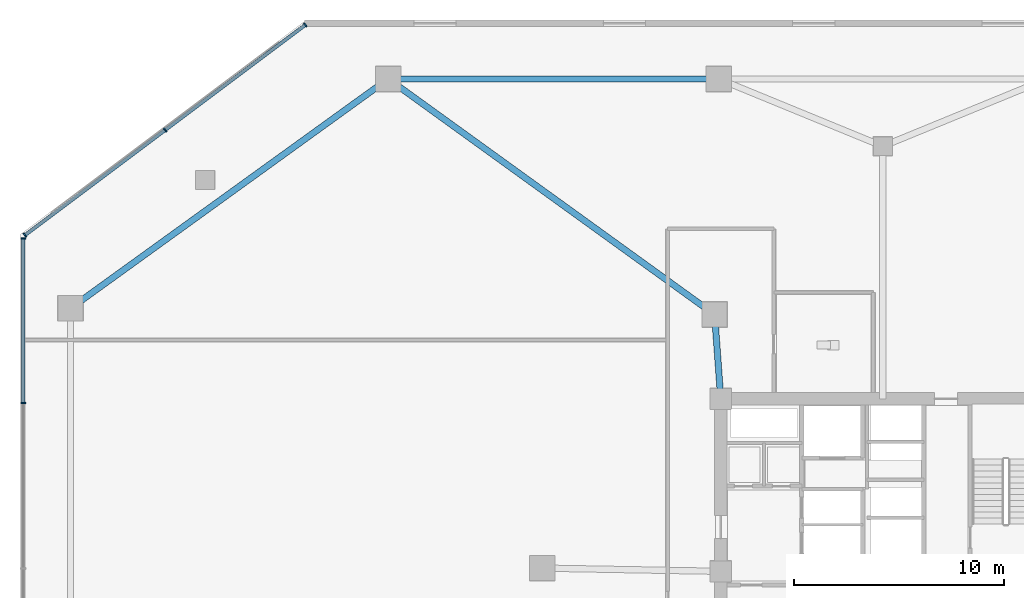
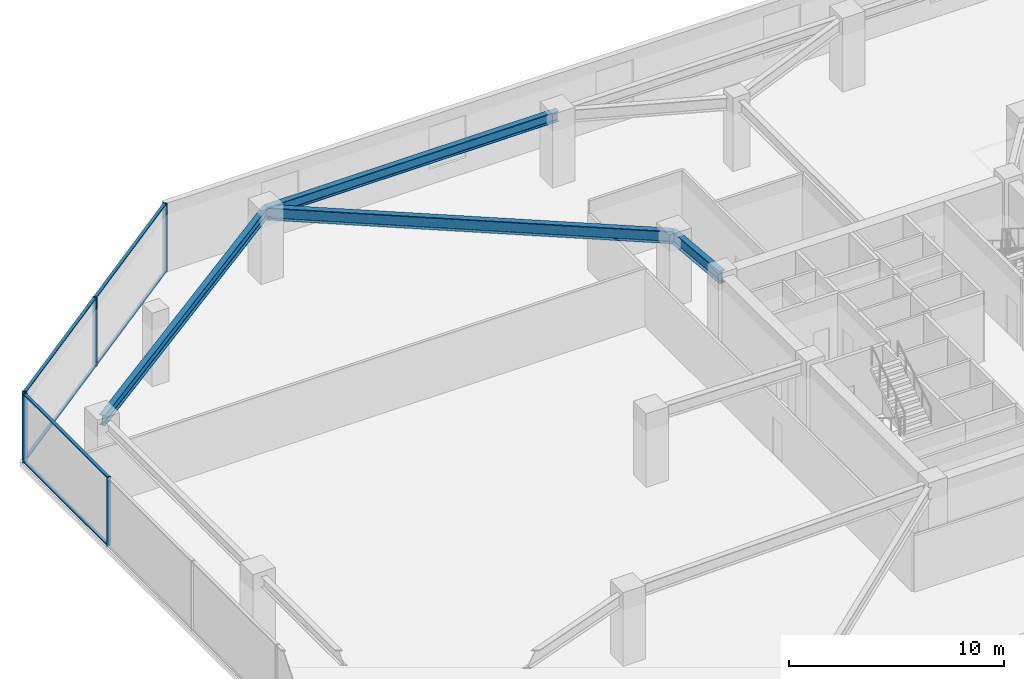
# One storey, part 6 of 21: 11 members, 4 beams, 2 elements without a shape of their own.
"""IFC4 building model written with IfcOpenShell, lengths in metres."""

from ifc_helpers import new_model, si_unit, direction, frame, origin, origin_2d, place, context, subcontext, project, spatial, rectangle, i_section, extrude, material, material_profile, profile_set, type_object, element, aggregate, save


model = new_model("IFC4")

# Units and contexts
model_context = context("Model", 3, precision=1e-05, world=origin(), true_north=direction((0.0, 1.0)))
body_context = subcontext(model_context, "Body", "Model", "MODEL_VIEW")
ifc_project = project(units=[si_unit("LENGTHUNIT", "METRE"), si_unit("AREAUNIT", "SQUARE_METRE"), si_unit("VOLUMEUNIT", "CUBIC_METRE"), si_unit("PLANEANGLEUNIT", "RADIAN"), si_unit("MASSUNIT", "GRAM", prefix="KILO")], contexts=[model_context])

# Site, building, storey
site_placement = place(None, origin())
site = spatial("IfcSite", under=ifc_project, at=site_placement, CompositionType="ELEMENT")
building_placement = place(site_placement, origin())
building = spatial("IfcBuilding", under=site, at=building_placement, Name="Savorim Split Tower", CompositionType="ELEMENT")
storey_placement = place(building_placement, frame((0.0, 0.0, 9.199951171875)))
storey = spatial("IfcBuildingStorey", under=building, at=storey_placement, Name="L02", CompositionType="ELEMENT", Elevation=9.199951171875)

# Beams
ifc_material_1 = material(Name="Steel S355", Category="steel")
ifc_material_profile_1 = material_profile(ifc_material_1, i_section(OverallWidth=0.300048828125, OverallDepth=0.699951171875, WebThickness=0.01708984375, FlangeThickness=0.031982421875, FilletRadius=0.027099609375, at=origin_2d()), Name="HEB 700")
ifc_profile_set_1 = profile_set([ifc_material_profile_1], Name="Steel S355")
beam_type_1 = type_object("IfcBeamType", Name="BM-PRI-HEB700", PredefinedType="BEAM", material=ifc_profile_set_1)
beam_1_placement = place(storey_placement, frame((-23.5, 25.39990234375, 3.570068359375), z_axis=(0.810720623397, -0.585433233426, 0.0), x_axis=(0.585433233426, 0.810720623397, 0.0)))
element("IfcBeam", 1, at=beam_1_placement, inside=storey, type_object=beam_type_1, Name="L02 Podium Primary Girder BG-15", PredefinedType="BEAM", context=body_context, shape_type="SweptSolid", body=[
    extrude(i_section(OverallWidth=0.300048828125, OverallDepth=0.699951171875, WebThickness=0.01708984375, FlangeThickness=0.031982421875, FilletRadius=0.027099609375, at=origin_2d()), origin(), (0.0, 0.0, 1.0), 19.128173828125),
])
beam_2_placement = place(storey_placement, frame((-7.992431640625, 14.20166015625, 3.570068359375), z_axis=(0.072894449016, -0.997339660949, 0.0), x_axis=(0.997339660949, 0.072894449016, 0.0)))
element("IfcBeam", 2, at=beam_2_placement, inside=storey, type_object=beam_type_1, Name="L02 Podium Primary Girder BG-29", PredefinedType="BEAM", context=body_context, shape_type="SweptSolid", body=[
    extrude(i_section(OverallWidth=0.300048828125, OverallDepth=0.699951171875, WebThickness=0.01708984375, FlangeThickness=0.031982421875, FilletRadius=0.027099609375, at=origin_2d()), origin(), (0.0, 0.0, 1.0), 4.012451171875),
])
ifc_material_profile_2 = material_profile(ifc_material_1, i_section(OverallWidth=0.300048828125, OverallDepth=0.590087890625, WebThickness=0.012939453125, FlangeThickness=0.02490234375, FilletRadius=0.027099609375, at=origin_2d()), Name="HEA 600")
ifc_profile_set_2 = profile_set([ifc_material_profile_2], Name="Steel S355")
beam_type_2 = type_object("IfcBeamType", Name="BM-SPN-HEA600", PredefinedType="SPANDREL", material=ifc_profile_set_2)
beam_3_placement = place(storey_placement, frame((-7.800048828125, 25.39990234375, 3.625), z_axis=(-1.0, 0.0, 0.0), x_axis=(0.0, -1.0, 0.0)))
element("IfcBeam", 3, at=beam_3_placement, inside=storey, type_object=beam_type_2, Name="L02 Podium Spandrel Beam 8", PredefinedType="SPANDREL", context=body_context, shape_type="SweptSolid", body=[
    extrude(i_section(OverallWidth=0.300048828125, OverallDepth=0.590087890625, WebThickness=0.012939453125, FlangeThickness=0.02490234375, FilletRadius=0.027099609375, at=origin_2d()), origin(), (0.0, 0.0, 1.0), 15.699951171875),
])
beam_4_placement = place(storey_placement, frame((-23.5, 25.39990234375, 3.625), z_axis=(-0.810825083438, -0.585288547699, 0.0), x_axis=(0.585288547699, -0.810825083438, 0.0)))
element("IfcBeam", 4, at=beam_4_placement, inside=storey, type_object=beam_type_2, Name="L02 Podium Spandrel Beam 9", PredefinedType="SPANDREL", context=body_context, shape_type="SweptSolid", body=[
    extrude(i_section(OverallWidth=0.300048828125, OverallDepth=0.590087890625, WebThickness=0.012939453125, FlangeThickness=0.02490234375, FilletRadius=0.027099609375, at=origin_2d()), origin(), (0.0, 0.0, 1.0), 18.623046875),
])

# Curtain wall, members
ifc_material_2 = material(Name="Dark Ceramic-Fritted Insulated Glass", Category="glass")
curtain_wall_type = type_object("IfcCurtainWallType", Name="CW-POD-GLZ", PredefinedType="NOTDEFINED", material=ifc_material_2)
curtain_wall_1_placement = place(storey_placement, origin())
curtain_wall_1 = element("IfcCurtainWall", 5, at=curtain_wall_1_placement, inside=storey, type_object=curtain_wall_type, Name="L02 Curtain Wall CW-L02-E09", PredefinedType="NOTDEFINED")
ifc_material_3 = material(Name="Charcoal Anodised Aluminium", Category="aluminium")
ifc_material_profile_3 = material_profile(ifc_material_3, rectangle(XDim=0.219970703125, YDim=0.070068359375, at=origin_2d()), Name="ALU-M 220x70")
ifc_profile_set_3 = profile_set([ifc_material_profile_3], Name="Charcoal Anodised Aluminium")
member_type_1 = type_object("IfcMemberType", Name="CWM-220x70", PredefinedType="MULLION", material=ifc_profile_set_3)
member_1_placement = place(storey_placement, frame((-27.444091796875, 27.967041015625, 0.0), z_axis=(0.0, 0.0, 1.0), x_axis=(0.600000000002, -0.799999999998, 0.0)))
member_1 = element("IfcMember", 6, at=member_1_placement, type_object=member_type_1, Name="CW-01 mullion 1", PredefinedType="MULLION", context=body_context, shape_type="SweptSolid", body=[
    extrude(rectangle(XDim=0.219970703125, YDim=0.070068359375, at=origin_2d()), origin(), (0.0, 0.0, 1.0), 3.920166015625),
])
member_2_placement = place(storey_placement, frame((-34.10400390625, 22.971923828125, 0.0), z_axis=(0.0, 0.0, 1.0), x_axis=(0.600000000002, -0.799999999998, 0.0)))
member_2 = element("IfcMember", 7, at=member_2_placement, type_object=member_type_1, Name="CW-01 mullion 2", PredefinedType="MULLION", context=body_context, shape_type="SweptSolid", body=[
    extrude(rectangle(XDim=0.219970703125, YDim=0.070068359375, at=origin_2d()), origin(), (0.0, 0.0, 1.0), 3.920166015625),
])
member_3_placement = place(storey_placement, frame((-40.763916015625, 17.97705078125, 0.0), z_axis=(0.0, 0.0, 1.0), x_axis=(0.600000000002, -0.799999999998, 0.0)))
member_3 = element("IfcMember", 8, at=member_3_placement, type_object=member_type_1, Name="CW-01 mullion 3", PredefinedType="MULLION", context=body_context, shape_type="SweptSolid", body=[
    extrude(rectangle(XDim=0.219970703125, YDim=0.070068359375, at=origin_2d()), origin(), (0.0, 0.0, 1.0), 3.920166015625),
])

curtain_wall_2_placement = place(storey_placement, origin())
curtain_wall_2 = element("IfcCurtainWall", 9, at=curtain_wall_2_placement, inside=storey, type_object=curtain_wall_type, Name="L02 Curtain Wall CW-L02-E10", PredefinedType="NOTDEFINED")
member_4_placement = place(storey_placement, frame((-40.840087890625, 17.824951171875, 0.0), z_axis=(0.0, 0.0, 1.0), x_axis=(1.0, 0.0, 0.0)))
member_4 = element("IfcMember", 10, at=member_4_placement, type_object=member_type_1, Name="CW-01 mullion 1", PredefinedType="MULLION", context=body_context, shape_type="SweptSolid", body=[
    extrude(rectangle(XDim=0.219970703125, YDim=0.070068359375, at=origin_2d()), origin(), (0.0, 0.0, 1.0), 3.920166015625),
])
member_5_placement = place(storey_placement, frame((-40.840087890625, 9.99609375, 0.0), z_axis=(0.0, 0.0, 1.0), x_axis=(1.0, 0.0, 0.0)))
member_5 = element("IfcMember", 11, at=member_5_placement, type_object=member_type_1, Name="CW-01 mullion 2", PredefinedType="MULLION", context=body_context, shape_type="SweptSolid", body=[
    extrude(rectangle(XDim=0.219970703125, YDim=0.070068359375, at=origin_2d()), origin(), (0.0, 0.0, 1.0), 3.920166015625),
])

# Member
ifc_material_profile_4 = material_profile(ifc_material_3, rectangle(XDim=0.159912109375, YDim=0.06005859375, at=origin_2d()), Name="ALU-T 160x60")
ifc_profile_set_4 = profile_set([ifc_material_profile_4], Name="Charcoal Anodised Aluminium")
member_type_2 = type_object("IfcMemberType", Name="CWT-160x60", PredefinedType="USERDEFINED", material=ifc_profile_set_4)
member_6_placement = place(storey_placement, frame((-27.471923828125, 27.946044921875, 0.030029296875), z_axis=(-0.79999290204, -0.60000946383, 0.0), x_axis=(0.60000946383, -0.79999290204, 0.0)))
member_6 = element("IfcMember", 12, at=member_6_placement, type_object=member_type_2, Name="CW-01 transom 1.1", ObjectType="TRANSOM", PredefinedType="USERDEFINED", context=body_context, shape_type="SweptSolid", body=[
    extrude(rectangle(XDim=0.159912109375, YDim=0.06005859375, at=origin_2d()), origin(), (0.0, 0.0, 1.0), 8.255126953125),
])

member_7_placement = place(storey_placement, frame((-27.471923828125, 27.946044921875, 3.89013671875), z_axis=(-0.79999290204, -0.60000946383, 0.0), x_axis=(0.60000946383, -0.79999290204, 0.0)))
member_7 = element("IfcMember", 13, at=member_7_placement, type_object=member_type_2, Name="CW-01 transom 1.2", ObjectType="TRANSOM", PredefinedType="USERDEFINED", context=body_context, shape_type="SweptSolid", body=[
    extrude(rectangle(XDim=0.159912109375, YDim=0.06005859375, at=origin_2d()), origin(), (0.0, 0.0, 1.0), 8.255126953125),
])

member_8_placement = place(storey_placement, frame((-34.132080078125, 22.950927734375, 0.030029296875), z_axis=(-0.800007097974, -0.599990535918, 0.0), x_axis=(0.599990535918, -0.800007097974, 0.0)))
member_8 = element("IfcMember", 14, at=member_8_placement, type_object=member_type_2, Name="CW-01 transom 2.1", ObjectType="TRANSOM", PredefinedType="USERDEFINED", context=body_context, shape_type="SweptSolid", body=[
    extrude(rectangle(XDim=0.159912109375, YDim=0.06005859375, at=origin_2d()), origin(), (0.0, 0.0, 1.0), 8.2548828125),
])

member_9_placement = place(storey_placement, frame((-34.132080078125, 22.950927734375, 3.89013671875), z_axis=(-0.800007097974, -0.599990535918, 0.0), x_axis=(0.599990535918, -0.800007097974, 0.0)))
member_9 = element("IfcMember", 15, at=member_9_placement, type_object=member_type_2, Name="CW-01 transom 2.2", ObjectType="TRANSOM", PredefinedType="USERDEFINED", context=body_context, shape_type="SweptSolid", body=[
    extrude(rectangle(XDim=0.159912109375, YDim=0.06005859375, at=origin_2d()), origin(), (0.0, 0.0, 1.0), 8.2548828125),
])

aggregate(curtain_wall_1, [member_1, member_2, member_3, member_6, member_7, member_8, member_9])

member_10_placement = place(storey_placement, frame((-40.840087890625, 17.7900390625, 0.030029296875), z_axis=(0.0, -1.0, 0.0), x_axis=(1.0, 0.0, 0.0)))
member_10 = element("IfcMember", 16, at=member_10_placement, type_object=member_type_2, Name="CW-01 transom 1.1", ObjectType="TRANSOM", PredefinedType="USERDEFINED", context=body_context, shape_type="SweptSolid", body=[
    extrude(rectangle(XDim=0.159912109375, YDim=0.06005859375, at=origin_2d()), origin(), (0.0, 0.0, 1.0), 7.759033203125),
])

member_11_placement = place(storey_placement, frame((-40.840087890625, 17.7900390625, 3.89013671875), z_axis=(0.0, -1.0, 0.0), x_axis=(1.0, 0.0, 0.0)))
member_11 = element("IfcMember", 17, at=member_11_placement, type_object=member_type_2, Name="CW-01 transom 1.2", ObjectType="TRANSOM", PredefinedType="USERDEFINED", context=body_context, shape_type="SweptSolid", body=[
    extrude(rectangle(XDim=0.159912109375, YDim=0.06005859375, at=origin_2d()), origin(), (0.0, 0.0, 1.0), 7.759033203125),
])

aggregate(curtain_wall_2, [member_4, member_5, member_10, member_11])

save(model, "model.ifc")
